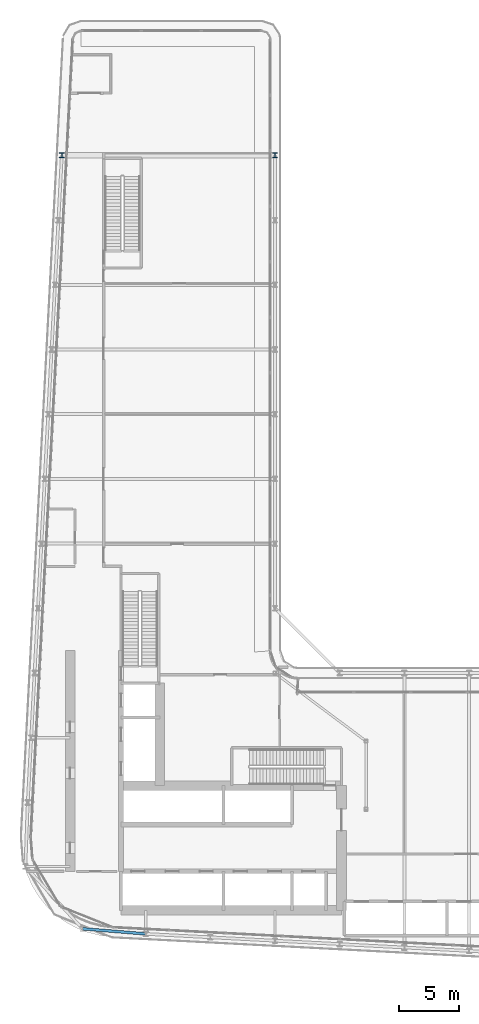
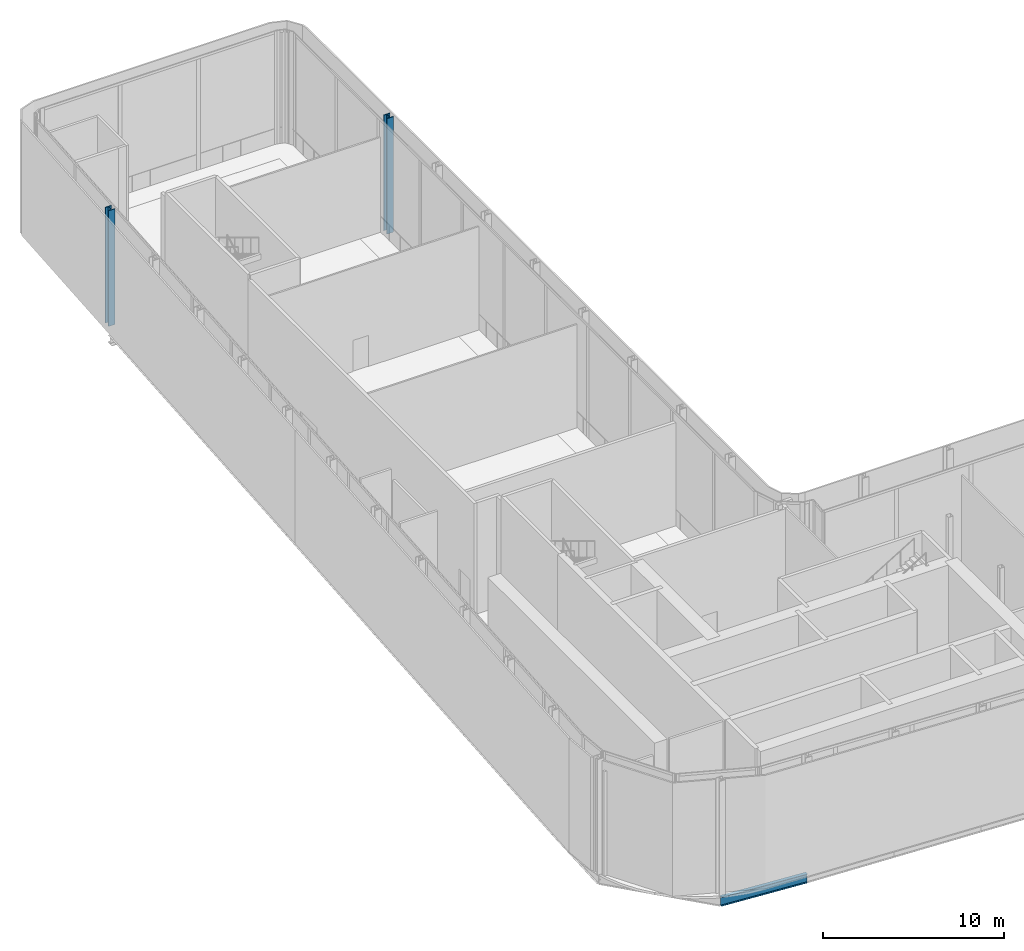
# One storey, part 5 of 37: 2 columns, 1 beam.
"""IFC4 building model written with IfcOpenShell, lengths in metres."""

from ifc_helpers import new_model, si_unit, direction, frame, origin, origin_2d, place, context, subcontext, project, spatial, i_section, extrude, material, material_profile, profile_set, type_object, element, save


model = new_model("IFC4")

# Units and contexts
model_context = context("Model", 3, precision=1e-05, world=origin(), true_north=direction((0.0, 1.0)))
body_context = subcontext(model_context, "Body", "Model", "MODEL_VIEW")
ifc_project = project(units=[si_unit("LENGTHUNIT", "METRE"), si_unit("AREAUNIT", "SQUARE_METRE"), si_unit("VOLUMEUNIT", "CUBIC_METRE"), si_unit("PLANEANGLEUNIT", "RADIAN"), si_unit("MASSUNIT", "GRAM", prefix="KILO")], contexts=[model_context])

# Site, building, storey
site_placement = place(None, origin())
site = spatial("IfcSite", under=ifc_project, at=site_placement, CompositionType="ELEMENT")
building_placement = place(site_placement, origin())
building = spatial("IfcBuilding", under=site, at=building_placement, Name="Kheshtan School and Residences Tower", CompositionType="ELEMENT")
storey_placement = place(building_placement, frame((0.0, 0.0, 144.800048828125)))
storey = spatial("IfcBuildingStorey", under=building, at=storey_placement, Name="L34", CompositionType="ELEMENT", Elevation=144.800048828125)

# Columns
ifc_material = material(Name="Steel ASTM A992 Grade 50", Category="steel")
ifc_material_profile_1 = material_profile(ifc_material, i_section(OverallWidth=0.408935546875, OverallDepth=0.425048828125, WebThickness=0.03271484375, FlangeThickness=0.052490234375, FilletRadius=0.0126953125, at=origin_2d()), Name="W360x421")
ifc_profile_set_1 = profile_set([ifc_material_profile_1], Name="Steel ASTM A992 Grade 50")
column_type = type_object("IfcColumnType", Name="Column C3 W360x421 ASTM A992 Grade 50", PredefinedType="COLUMN", material=ifc_profile_set_1)
for number, where, z_axis, x_axis, name in (
    (1, (29.81103515625, 88.800048828125, 0.0), (0.0, 0.0, 1.0), (1.0, 0.0, 0.0), "Column C098"),
    (2, (47.60009765625, 88.800048828125, 0.0), (0.0, 0.0, 1.0), (1.0, 0.0, 0.0), "Column C099"),
):
    element("IfcColumn", number, at=place(storey_placement, frame(where, z_axis=z_axis, x_axis=x_axis)), inside=storey, type_object=column_type, Name=name, PredefinedType="COLUMN", context=body_context, shape_type="SweptSolid", body=[
        extrude(i_section(OverallWidth=0.408935546875, OverallDepth=0.425048828125, WebThickness=0.03271484375, FlangeThickness=0.052490234375, FilletRadius=0.0126953125, at=origin_2d()), origin(), (0.0, 0.0, 1.0), 7.800048828125),
    ])

# Beam
ifc_material_profile_2 = material_profile(ifc_material, i_section(OverallWidth=0.22802734375, OverallDepth=0.60302734375, WebThickness=0.010498046875, FlangeThickness=0.014892578125, FilletRadius=0.013427734375, at=origin_2d()), Name="W610x101")
ifc_profile_set_2 = profile_set([ifc_material_profile_2], Name="Steel ASTM A992 Grade 50")
beam_type = type_object("IfcBeamType", Name="Beam SP2 W610x101 ASTM A992 Grade 50", PredefinedType="BEAM", material=ifc_profile_set_2)
beam_placement = place(storey_placement, frame((36.800048828125, 23.83203125, -0.45166015625), z_axis=(-0.996748565693, 0.08057479003, 0.0), x_axis=(-0.08057479003, -0.996748565693, 0.0)))
element("IfcBeam", 3, at=beam_placement, inside=storey, type_object=beam_type, Name="Spandrel beam C022-C025", PredefinedType="BEAM", context=body_context, shape_type="SweptSolid", body=[
    extrude(i_section(OverallWidth=0.22802734375, OverallDepth=0.60302734375, WebThickness=0.010498046875, FlangeThickness=0.014892578125, FilletRadius=0.013427734375, at=origin_2d()), origin(), (0.0, 0.0, 1.0), 5.275146484375),
])

save(model, "model.ifc")
